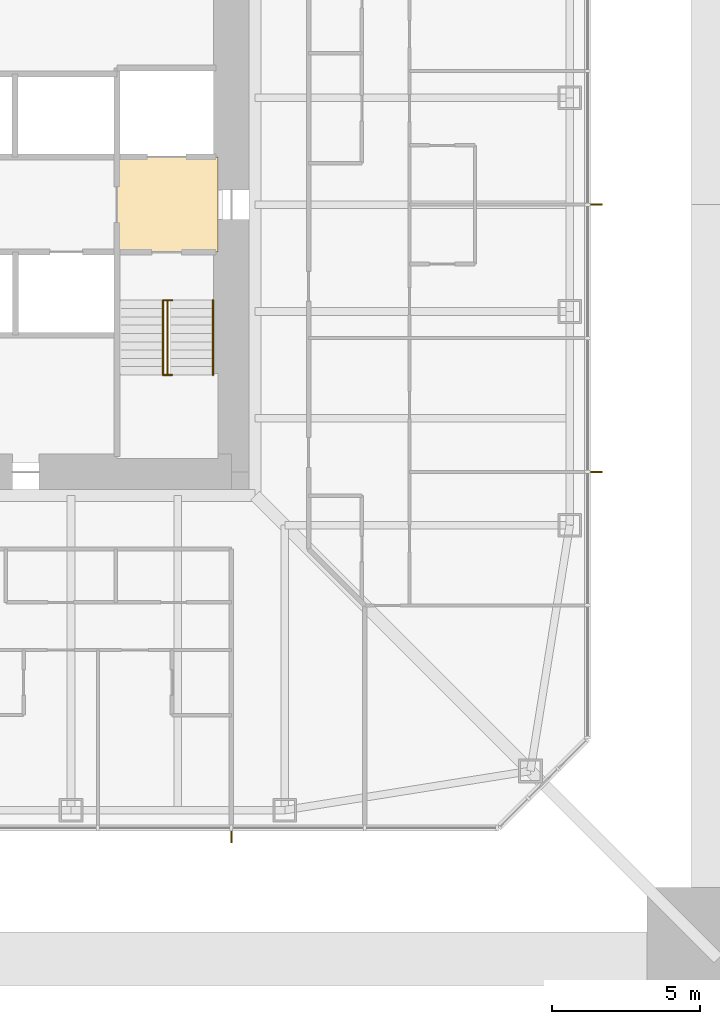
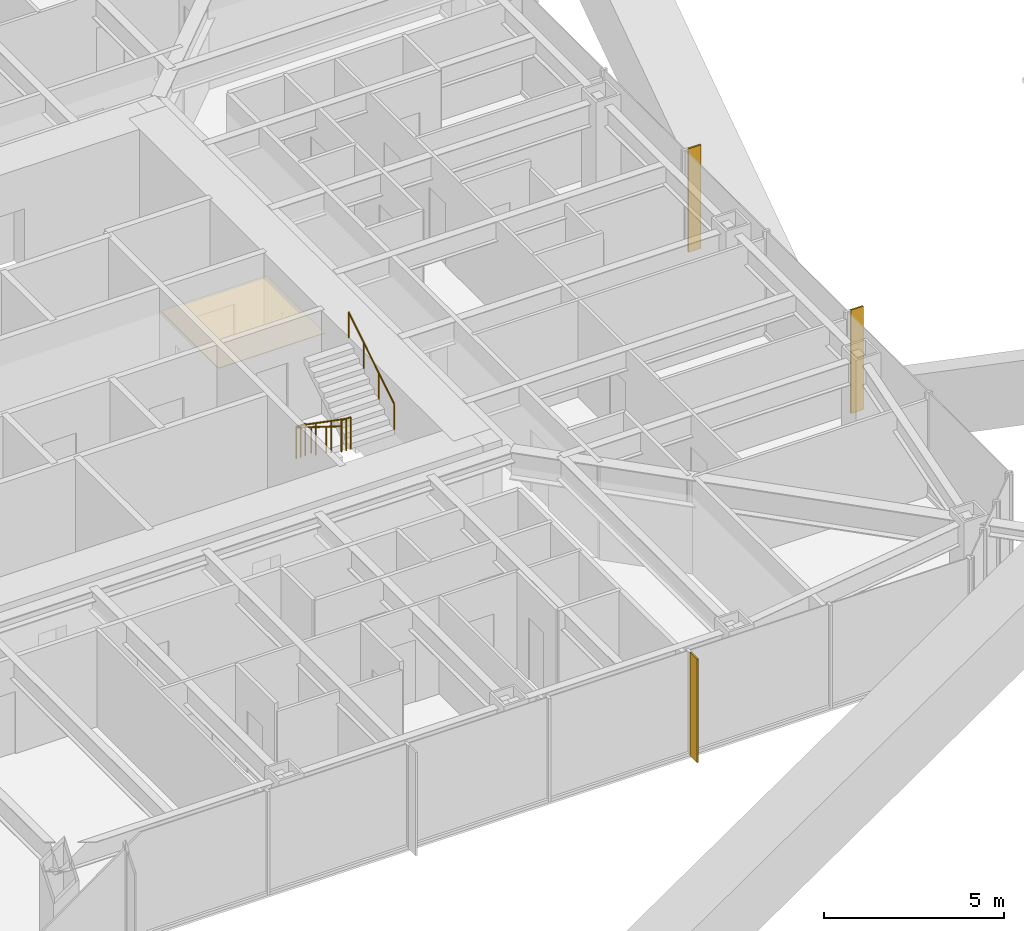
# One storey, part 16 of 17: 3 railings, 3 shading devices, 1 covering.
"""IFC4 building model written with IfcOpenShell, lengths in metres."""

from ifc_helpers import new_model, si_unit, direction, frame, origin, origin_2d, place, context, subcontext, project, spatial, polyline, rectangle, circle, outline, extrude, material, layer, layer_set, constituent, constituent_set, type_object, element, save


model = new_model("IFC4")

# Units and contexts
model_context = context("Model", 3, precision=1e-05, world=origin(), true_north=direction((0.0, 1.0)))
body_context = subcontext(model_context, "Body", "Model", "MODEL_VIEW")
ifc_project = project(units=[si_unit("LENGTHUNIT", "METRE"), si_unit("AREAUNIT", "SQUARE_METRE"), si_unit("VOLUMEUNIT", "CUBIC_METRE"), si_unit("PLANEANGLEUNIT", "RADIAN"), si_unit("MASSUNIT", "GRAM", prefix="KILO")], contexts=[model_context])

# Site, building, storey
site_placement = place(None, origin())
site = spatial("IfcSite", under=ifc_project, at=site_placement, CompositionType="ELEMENT")
building_placement = place(site_placement, origin())
building = spatial("IfcBuilding", under=site, at=building_placement, Name="Iwan Alto Co-Living Towers", CompositionType="ELEMENT")
storey_placement = place(building_placement, frame((0.0, 0.0, 133.0)))
storey = spatial("IfcBuildingStorey", under=building, at=storey_placement, Name="L36", CompositionType="ELEMENT", Elevation=133.0)

# Covering
ifc_material_1 = material(Name="Mineral fibre acoustic tiles on steel grid", Category="steel")
ifc_layer_1 = layer(ifc_material_1, 0.02001953125)
ifc_layer_set_1 = layer_set([ifc_layer_1], Name="ACOUSTIC TILE CEILING 20")
covering_type = type_object("IfcCoveringType", Name="ACOUSTIC TILE CEILING 20", PredefinedType="CEILING", material=ifc_layer_set_1)
covering_placement = place(storey_placement, frame((0.0, 0.0, 2.60009765625)))
element("IfcCovering", 1, at=covering_placement, inside=storey, type_object=covering_type, Name="Ceiling Firefighting lobby L36", PredefinedType="CEILING", context=body_context, shape_type="SweptSolid", body=[
    extrude(outline(polyline([(5.14990234375, -1.60009765625), (5.14990234375, 1.60009765625), (8.550048828125, 1.60009765625), (8.550048828125, -1.60009765625), (5.14990234375, -1.60009765625)])), origin(), (0.0, 0.0, 1.0), 0.02001953125),
])

# Shading devices
ifc_material_2 = material(Name="Aluminium 6063-T6 bronze anodised", Category="aluminium")
ifc_layer_2 = layer(ifc_material_2, 0.050048828125)
ifc_layer_set_2 = layer_set([ifc_layer_2], Name="BRONZE FIN 50X400")
shading_device_type = type_object("IfcShadingDeviceType", Name="BRONZE FIN 50X400", PredefinedType="USERDEFINED", material=ifc_layer_set_2)
for number, where, z_axis, x_axis, name in (
    (2, (9.0, -21.300048828125, 0.0), (0.0, 0.0, 1.0), (1.0, 0.0, 0.0), "Bronze fin L36"),
    (3, (21.300048828125, -9.0, 0.0), (0.0, 0.0, 1.0), (0.0, 1.0, 0.0), "Bronze fin L36"),
    (4, (21.300048828125, 0.0, 0.0), (0.0, 0.0, 1.0), (0.0, 1.0, 0.0), "Bronze fin L36"),
):
    element("IfcShadingDevice", number, at=place(storey_placement, frame(where, z_axis=z_axis, x_axis=x_axis)), inside=storey, type_object=shading_device_type, Name=name, ObjectType="LOUVER", PredefinedType="USERDEFINED", context=body_context, shape_type="SweptSolid", body=[
        extrude(rectangle(XDim=0.050048828125, YDim=0.39990234375, at=origin_2d()), origin(), (0.0, 0.0, 1.0), 3.5),
    ])

# Railings
ifc_material_3 = material(Name="Steel ASTM A500 Gr C", Category="steel")
ifc_constituent_1 = constituent(ifc_material_3, Name="Rails and posts", Category="Framing")
ifc_material_4 = material(Name="Steel ASTM A36", Category="steel")
ifc_constituent_2 = constituent(ifc_material_4, Name="Bar infill", Category="Infill")
ifc_constituent_set = constituent_set(constituents=[ifc_constituent_1, ifc_constituent_2], Name="STAIR GUARD 1100")
railing_type_1 = type_object("IfcRailingType", Name="STAIR GUARD 1100", PredefinedType="GUARDRAIL", material=ifc_constituent_set)
railing_1_placement = place(storey_placement, frame((6.85009765625, -3.219970703125, 0.0)))
element("IfcRailing", 5, at=railing_1_placement, inside=storey, type_object=railing_type_1, Name="Stair T1-S2 well guard L36", PredefinedType="GUARDRAIL", context=body_context, shape_type="SweptSolid", body=[
    extrude(circle(Radius=0.02392578125, at=origin_2d()), frame((0.0, 0.0, 1.076171875), z_axis=(0.0, -0.821372036852, 0.570392826987), x_axis=(1.0, 0.0, 0.0)), (0.0, 0.0, 1.0), 3.068115234375),
    extrude(circle(Radius=0.02392578125, at=origin_2d()), frame((-0.150146484375, 0.0, 1.076171875), z_axis=(1.0, 0.0, 0.0), x_axis=(0.0, 1.0, 0.0)), (0.0, 0.0, 1.0), 0.300048828125),
    extrude(circle(Radius=0.02392578125, at=origin_2d()), frame((-0.150146484375, -2.52001953125, 2.826171875), z_axis=(1.0, 0.0, 0.0), x_axis=(0.0, 1.0, 0.0)), (0.0, 0.0, 1.0), 0.300048828125),
    extrude(circle(Radius=0.02099609375, at=origin_2d()), origin(), (0.0, 0.0, 1.0), 1.052001953125),
    extrude(circle(Radius=0.02099609375, at=origin_2d()), frame((0.0, -0.840087890625, 0.583251953125)), (0.0, 0.0, 1.0), 1.052001953125),
    extrude(circle(Radius=0.02099609375, at=origin_2d()), frame((0.0, -1.679931640625, 1.166748046875)), (0.0, 0.0, 1.0), 1.052001953125),
    extrude(circle(Radius=0.02099609375, at=origin_2d()), frame((0.0, -2.52001953125, 1.75)), (0.0, 0.0, 1.0), 1.052001953125),
    extrude(circle(Radius=0.02099609375, at=origin_2d()), frame((-0.150146484375, 0.0, 0.0)), (0.0, 0.0, 1.0), 1.052001953125),
    extrude(circle(Radius=0.02099609375, at=origin_2d()), frame((0.14990234375, 0.0, 0.0)), (0.0, 0.0, 1.0), 1.052001953125),
    extrude(circle(Radius=0.02099609375, at=origin_2d()), frame((-0.150146484375, -2.52001953125, 1.75)), (0.0, 0.0, 1.0), 1.052001953125),
    extrude(circle(Radius=0.02099609375, at=origin_2d()), frame((0.14990234375, -2.52001953125, 1.75)), (0.0, 0.0, 1.0), 1.052001953125),
])
ifc_material_5 = material(Name="Steel ASTM A500 Gr C", Category="steel")
railing_type_2 = type_object("IfcRailingType", Name="STAIR HANDRAIL 900", PredefinedType="HANDRAIL", material=ifc_material_5)
railing_2_placement = place(storey_placement, frame((6.699951171875, -3.219970703125, 0.175048828125)))
element("IfcRailing", 6, at=railing_2_placement, inside=storey, type_object=railing_type_2, Name="Stair T1-S2 handrail 1 L36", PredefinedType="HANDRAIL", context=body_context, shape_type="SweptSolid", body=[
    extrude(circle(Radius=0.02392578125, at=origin_2d()), frame((0.0, 0.0, 0.8759765625), z_axis=(0.0, -0.848007534815, 0.529984170421), x_axis=(1.0, 0.0, 0.0)), (0.0, 0.0, 1.0), 2.9716796875),
    extrude(circle(Radius=0.02099609375, at=origin_2d()), origin(), (0.0, 0.0, 1.0), 0.851806640625),
    extrude(circle(Radius=0.02099609375, at=origin_2d()), frame((0.0, -0.840087890625, 0.52490234375)), (0.0, 0.0, 1.0), 0.851806640625),
    extrude(circle(Radius=0.02099609375, at=origin_2d()), frame((0.0, -1.679931640625, 1.050048828125)), (0.0, 0.0, 1.0), 0.851806640625),
    extrude(circle(Radius=0.02099609375, at=origin_2d()), frame((0.0, -2.52001953125, 1.574951171875)), (0.0, 0.0, 1.0), 0.851806640625),
])
railing_3_placement = place(storey_placement, frame((8.3798828125, -5.739990234375, 1.925048828125)))
element("IfcRailing", 7, at=railing_3_placement, inside=storey, type_object=railing_type_2, Name="Stair T1-S2 handrail 2 L36", PredefinedType="HANDRAIL", context=body_context, shape_type="SweptSolid", body=[
    extrude(circle(Radius=0.02392578125, at=origin_2d()), frame((0.0, 0.0, 0.8759765625), z_axis=(0.0, 0.848007534815, 0.529984170421), x_axis=(-1.0, 0.0, 0.0)), (0.0, 0.0, 1.0), 2.9716796875),
    extrude(circle(Radius=0.02099609375, at=origin_2d()), origin(), (0.0, 0.0, 1.0), 0.851806640625),
    extrude(circle(Radius=0.02099609375, at=origin_2d()), frame((0.0, 0.840087890625, 0.52490234375)), (0.0, 0.0, 1.0), 0.851806640625),
    extrude(circle(Radius=0.02099609375, at=origin_2d()), frame((0.0, 1.679931640625, 1.050048828125)), (0.0, 0.0, 1.0), 0.851806640625),
    extrude(circle(Radius=0.02099609375, at=origin_2d()), frame((0.0, 2.52001953125, 1.574951171875)), (0.0, 0.0, 1.0), 0.851806640625),
])

save(model, "model.ifc")
